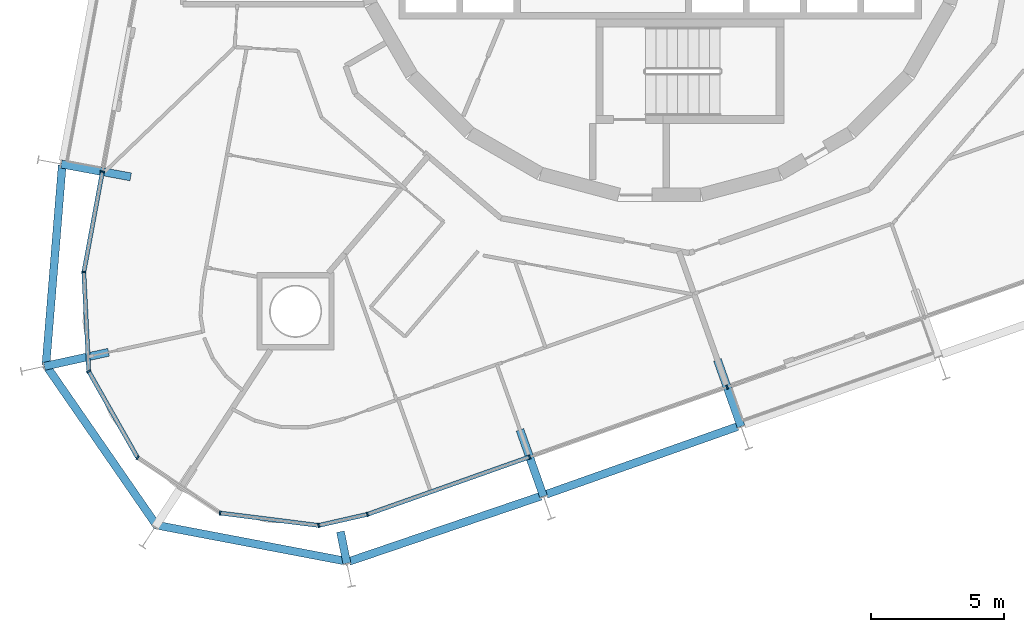
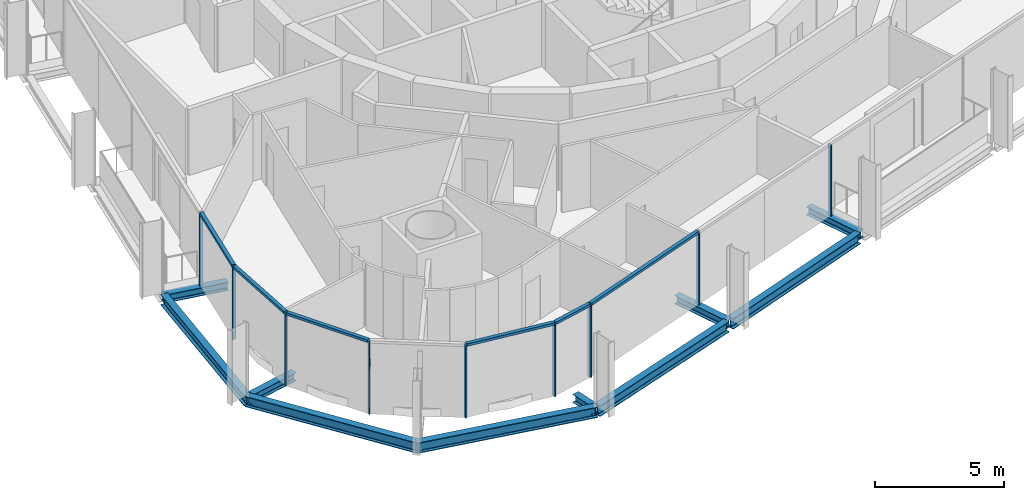
# One storey, part 2 of 17: 15 members, 10 beams, 2 elements without a shape of their own.
"""IFC4 building model written with IfcOpenShell, lengths in metres."""

from ifc_helpers import new_model, si_unit, direction, frame, origin, origin_2d, place, context, subcontext, project, spatial, rectangle, i_section, extrude, material, layer, layer_set, material_profile, profile_set, type_object, element, aggregate, save


model = new_model("IFC4")

# Units and contexts
model_context = context("Model", 3, precision=1e-05, world=origin(), true_north=direction((0.0, 1.0)))
body_context = subcontext(model_context, "Body", "Model", "MODEL_VIEW")
ifc_project = project(units=[si_unit("LENGTHUNIT", "METRE"), si_unit("AREAUNIT", "SQUARE_METRE"), si_unit("VOLUMEUNIT", "CUBIC_METRE"), si_unit("PLANEANGLEUNIT", "RADIAN"), si_unit("MASSUNIT", "GRAM", prefix="KILO")], contexts=[model_context])

# Site, building, storey
site_placement = place(None, origin())
site = spatial("IfcSite", under=ifc_project, at=site_placement, CompositionType="ELEMENT")
building_placement = place(site_placement, origin())
building = spatial("IfcBuilding", under=site, at=building_placement, Name="Spindle Arch Residences", CompositionType="ELEMENT")
storey_placement = place(building_placement, frame((0.0, 0.0, 176.199951171875)))
storey = spatial("IfcBuildingStorey", under=building, at=storey_placement, Name="L44", CompositionType="ELEMENT", Elevation=176.199951171875)

# Curtain wall, members
ifc_material_1 = material(Name="Aluminium bronze unitised frame with tinted glass", Category="aluminium")
ifc_layer_1 = layer(ifc_material_1, 0.159912109375)
ifc_layer_set_1 = layer_set([ifc_layer_1], Name="CW-D corner wall on the fillet arcs")
curtain_wall_type_1 = type_object("IfcCurtainWallType", Name="CW-D corner wall on the fillet arcs", PredefinedType="NOTDEFINED", material=ifc_layer_set_1)
curtain_wall_1_placement = place(storey_placement, origin())
curtain_wall_1 = element("IfcCurtainWall", 1, at=curtain_wall_1_placement, inside=storey, type_object=curtain_wall_type_1, Name="CW-D L44 run 5", PredefinedType="NOTDEFINED")
ifc_material_2 = material(Name="Aluminium bronze anodised mullion", Category="aluminium")
ifc_material_profile_1 = material_profile(ifc_material_2, rectangle(XDim=0.159912109375, YDim=0.06005859375, at=origin_2d()), Name="MU 60x160")
ifc_profile_set_1 = profile_set([ifc_material_profile_1], Name="Aluminium bronze anodised mullion")
member_type_1 = type_object("IfcMemberType", Name="Bronze mullion 60x160", PredefinedType="MULLION", material=ifc_profile_set_1)
member_1_placement = place(storey_placement, frame((-20.92724609375, -10.77685546875, -0.3798828125), z_axis=(0.0, 0.0, 1.0), x_axis=(0.983254907564, -0.182235525492, 0.0)))
member_1 = element("IfcMember", 2, at=member_1_placement, type_object=member_type_1, Name="CW-D mullion 00", PredefinedType="MULLION", context=body_context, shape_type="SweptSolid", body=[
    extrude(rectangle(XDim=0.159912109375, YDim=0.06005859375, at=origin_2d()), origin(), (0.0, 0.0, 1.0), 3.3798828125),
])
member_2_placement = place(storey_placement, frame((-21.6259765625, -14.546142578125, -0.3798828125), z_axis=(0.0, 0.0, 1.0), x_axis=(0.99877754864, 0.049430843939, 0.0)))
member_2 = element("IfcMember", 3, at=member_2_placement, type_object=member_type_1, Name="CW-D mullion 01", PredefinedType="MULLION", context=body_context, shape_type="SweptSolid", body=[
    extrude(rectangle(XDim=0.159912109375, YDim=0.06005859375, at=origin_2d()), origin(), (0.0, 0.0, 1.0), 3.3798828125),
])
member_3_placement = place(storey_placement, frame((-21.441650390625, -18.268310546875, -0.3798828125), z_axis=(0.0, 0.0, 1.0), x_axis=(0.870355694762, 0.492423562185, 0.0)))
member_3 = element("IfcMember", 4, at=member_3_placement, type_object=member_type_1, Name="CW-D mullion 02", PredefinedType="MULLION", context=body_context, shape_type="SweptSolid", body=[
    extrude(rectangle(XDim=0.159912109375, YDim=0.06005859375, at=origin_2d()), origin(), (0.0, 0.0, 1.0), 3.3798828125),
])
member_4_placement = place(storey_placement, frame((-19.6064453125, -21.511962890625, -0.3798828125), z_axis=(0.0, 0.0, 1.0), x_axis=(0.556778968928, 0.830660688705, 0.0)))
member_4 = element("IfcMember", 5, at=member_4_placement, type_object=member_type_1, Name="CW-D mullion 03", PredefinedType="MULLION", context=body_context, shape_type="SweptSolid", body=[
    extrude(rectangle(XDim=0.159912109375, YDim=0.06005859375, at=origin_2d()), origin(), (0.0, 0.0, 1.0), 3.3798828125),
])
member_5_placement = place(storey_placement, frame((-16.510986328125, -23.5869140625, -0.3798828125), z_axis=(0.0, 0.0, 1.0), x_axis=(0.12475602349, 0.992187449327, 0.0)))
member_5 = element("IfcMember", 6, at=member_5_placement, type_object=member_type_1, Name="CW-D mullion 04", PredefinedType="MULLION", context=body_context, shape_type="SweptSolid", body=[
    extrude(rectangle(XDim=0.159912109375, YDim=0.06005859375, at=origin_2d()), origin(), (0.0, 0.0, 1.0), 3.3798828125),
])
member_6_placement = place(storey_placement, frame((-12.813232421875, -24.0517578125, -0.3798828125), z_axis=(0.0, 0.0, 1.0), x_axis=(-0.222115779565, 0.975020297465, 0.0)))
member_6 = element("IfcMember", 7, at=member_6_placement, type_object=member_type_1, Name="CW-D mullion 05", PredefinedType="MULLION", context=body_context, shape_type="SweptSolid", body=[
    extrude(rectangle(XDim=0.159912109375, YDim=0.06005859375, at=origin_2d()), origin(), (0.0, 0.0, 1.0), 3.3798828125),
])
member_7_placement = place(storey_placement, frame((-10.984130859375, -23.63525390625, -0.3798828125), z_axis=(0.0, 0.0, 1.0), x_axis=(-0.333806859234, 0.942641491092, 0.0)))
member_7 = element("IfcMember", 8, at=member_7_placement, type_object=member_type_1, Name="CW-D mullion 06", PredefinedType="MULLION", context=body_context, shape_type="SweptSolid", body=[
    extrude(rectangle(XDim=0.159912109375, YDim=0.06005859375, at=origin_2d()), origin(), (0.0, 0.0, 1.0), 3.3798828125),
])

ifc_material_3 = material(Name="Aluminium bronze unitised frame with tinted glass", Category="aluminium")
ifc_layer_2 = layer(ifc_material_3, 0.159912109375)
ifc_layer_set_2 = layer_set([ifc_layer_2], Name="CW-C typical residential unitised wall")
curtain_wall_type_2 = type_object("IfcCurtainWallType", Name="CW-C typical residential unitised wall", PredefinedType="NOTDEFINED", material=ifc_layer_set_2)
curtain_wall_2_placement = place(storey_placement, origin())
curtain_wall_2 = element("IfcCurtainWall", 9, at=curtain_wall_2_placement, inside=storey, type_object=curtain_wall_type_2, Name="CW-C L44 run 6", PredefinedType="NOTDEFINED")
member_8_placement = place(storey_placement, frame((-4.900634765625, -21.48095703125, -0.3798828125), z_axis=(0.0, 0.0, 1.0), x_axis=(-0.333806859234, 0.942641491092, 0.0)))
member_8 = element("IfcMember", 10, at=member_8_placement, type_object=member_type_1, Name="CW-C mullion 20", PredefinedType="MULLION", context=body_context, shape_type="SweptSolid", body=[
    extrude(rectangle(XDim=0.159912109375, YDim=0.06005859375, at=origin_2d()), origin(), (0.0, 0.0, 1.0), 3.3798828125),
])
member_9_placement = place(storey_placement, frame((2.508544921875, -18.857177734375, -0.3798828125), z_axis=(0.0, 0.0, 1.0), x_axis=(-0.333806859234, 0.942641491092, 0.0)))
member_9 = element("IfcMember", 11, at=member_9_placement, type_object=member_type_1, Name="CW-C mullion 21", PredefinedType="MULLION", context=body_context, shape_type="SweptSolid", body=[
    extrude(rectangle(XDim=0.159912109375, YDim=0.06005859375, at=origin_2d()), origin(), (0.0, 0.0, 1.0), 3.3798828125),
])
aggregate(curtain_wall_2, [member_8, member_9])

# Member
ifc_material_4 = material(Name="Aluminium bronze anodised transom", Category="aluminium")
ifc_material_profile_2 = material_profile(ifc_material_4, rectangle(XDim=0.159912109375, YDim=0.1201171875, at=origin_2d()), Name="TR 120x160")
ifc_profile_set_2 = profile_set([ifc_material_profile_2], Name="Aluminium bronze anodised transom")
member_type_2 = type_object("IfcMemberType", Name="Bronze transom 120x160", PredefinedType="USERDEFINED", material=ifc_profile_set_2)
member_10_placement = place(storey_placement, frame((-20.932861328125, -10.806396484375, 3.06005859375), z_axis=(-0.182198152475, -0.983261833509, 0.0), x_axis=(0.983261833509, -0.182198152475, 0.0)))
member_10 = element("IfcMember", 12, at=member_10_placement, type_object=member_type_2, Name="CW-D transom 00", ObjectType="TRANSOM", PredefinedType="USERDEFINED", context=body_context, shape_type="SweptSolid", body=[
    extrude(rectangle(XDim=0.159912109375, YDim=0.1201171875, at=origin_2d()), origin(), (0.0, 0.0, 1.0), 3.7734375),
])

member_11_placement = place(storey_placement, frame((-21.62451171875, -14.576171875, 3.06005859375), z_axis=(0.049472678643, -0.998775477306, 0.0), x_axis=(0.998775477306, 0.049472678643, 0.0)))
member_11 = element("IfcMember", 13, at=member_11_placement, type_object=member_type_2, Name="CW-D transom 01", ObjectType="TRANSOM", PredefinedType="USERDEFINED", context=body_context, shape_type="SweptSolid", body=[
    extrude(rectangle(XDim=0.159912109375, YDim=0.1201171875, at=origin_2d()), origin(), (0.0, 0.0, 1.0), 3.66650390625),
])

member_12_placement = place(storey_placement, frame((-21.427001953125, -18.29443359375, 3.06005859375), z_axis=(0.49243456751, -0.870349468157, 0.0), x_axis=(0.870349468157, 0.49243456751, 0.0)))
member_12 = element("IfcMember", 14, at=member_12_placement, type_object=member_type_2, Name="CW-D transom 02", ObjectType="TRANSOM", PredefinedType="USERDEFINED", context=body_context, shape_type="SweptSolid", body=[
    extrude(rectangle(XDim=0.159912109375, YDim=0.1201171875, at=origin_2d()), origin(), (0.0, 0.0, 1.0), 3.666748046875),
])

member_13_placement = place(storey_placement, frame((-16.481201171875, -23.590576171875, 3.06005859375), z_axis=(0.992185413992, -0.12477220949, 0.0), x_axis=(0.12477220949, 0.992185413992, 0.0)))
member_13 = element("IfcMember", 15, at=member_13_placement, type_object=member_type_2, Name="CW-D transom 04", ObjectType="TRANSOM", PredefinedType="USERDEFINED", context=body_context, shape_type="SweptSolid", body=[
    extrude(rectangle(XDim=0.159912109375, YDim=0.1201171875, at=origin_2d()), origin(), (0.0, 0.0, 1.0), 3.666748046875),
])

member_14_placement = place(storey_placement, frame((-12.783935546875, -24.045166015625, 3.06005859375), z_axis=(0.975028425033, 0.222080099015, 0.0), x_axis=(-0.222080099015, 0.975028425033, 0.0)))
member_14 = element("IfcMember", 16, at=member_14_placement, type_object=member_type_2, Name="CW-D transom 05", ObjectType="TRANSOM", PredefinedType="USERDEFINED", context=body_context, shape_type="SweptSolid", body=[
    extrude(rectangle(XDim=0.159912109375, YDim=0.1201171875, at=origin_2d()), origin(), (0.0, 0.0, 1.0), 1.816162109375),
])

member_15_placement = place(storey_placement, frame((-10.955810546875, -23.625244140625, 3.06005859375), z_axis=(0.942638740525, 0.333814626495, 0.0), x_axis=(-0.333814626495, 0.942638740525, 0.0)))
member_15 = element("IfcMember", 17, at=member_15_placement, type_object=member_type_2, Name="CW-D transom 06", ObjectType="TRANSOM", PredefinedType="USERDEFINED", context=body_context, shape_type="SweptSolid", body=[
    extrude(rectangle(XDim=0.159912109375, YDim=0.1201171875, at=origin_2d()), origin(), (0.0, 0.0, 1.0), 6.3935546875),
])

aggregate(curtain_wall_1, [member_1, member_10, member_2, member_11, member_3, member_12, member_4, member_5, member_13, member_6, member_14, member_7, member_15])

# Beams
ifc_material_5 = material(Name="Steel S460ML, intumescent coating R 120", Category="steel")
ifc_material_profile_3 = material_profile(ifc_material_5, i_section(OverallWidth=0.300048828125, OverallDepth=0.5, WebThickness=0.014404296875, FlangeThickness=0.028076171875, FilletRadius=0.027099609375, at=origin_2d()), Name="HEB 500")
ifc_profile_set_3 = profile_set([ifc_material_profile_3], Name="Steel S460ML, intumescent coating R 120")
beam_type_1 = type_object("IfcBeamType", Name="Exoskeleton edge beam HEB 500", PredefinedType="BEAM", material=ifc_profile_set_3)
beam_1_placement = place(storey_placement, frame((-22.43408203125, -10.530517578125, -0.6298828125), z_axis=(-0.081396168561, -0.996681826735, 0.0), x_axis=(0.996681826735, -0.081396168561, 0.0)))
element("IfcBeam", 18, at=beam_1_placement, inside=storey, type_object=beam_type_1, Name="Exoskeleton edge beam 17", PredefinedType="BEAM", context=body_context, shape_type="SweptSolid", body=[
    extrude(i_section(OverallWidth=0.300048828125, OverallDepth=0.5, WebThickness=0.014404296875, FlangeThickness=0.028076171875, FilletRadius=0.027099609375, at=origin_2d()), origin(), (0.0, 0.0, 1.0), 7.534423828125),
])
for number, where, z_axis, x_axis, name in (
    (19, (-23.07080078125, -18.006103515625, -0.6298828125), (0.568398589538, -0.822753330842, 0.0), (0.822753330842, 0.568398589538, 0.0), "Exoskeleton edge beam 18"),
    (20, (-18.972900390625, -24.025390625, -0.6298828125), (0.982369437961, -0.186949959509, 0.0), (0.186949959509, 0.982369437961, 0.0), "Exoskeleton edge beam 19"),
):
    element("IfcBeam", number, at=place(storey_placement, frame(where, z_axis=z_axis, x_axis=x_axis)), inside=storey, type_object=beam_type_1, Name=name, PredefinedType="BEAM", context=body_context, shape_type="SweptSolid", body=[
        extrude(i_section(OverallWidth=0.300048828125, OverallDepth=0.5, WebThickness=0.014404296875, FlangeThickness=0.028076171875, FilletRadius=0.027099609375, at=origin_2d()), origin(), (0.0, 0.0, 1.0), 7.4033203125),
    ])
beam_2_placement = place(storey_placement, frame((-11.672119140625, -25.401123046875, -0.6298828125), z_axis=(0.94672748231, 0.322035827571, 0.0), x_axis=(-0.322035827571, 0.94672748231, 0.0)))
element("IfcBeam", 21, at=beam_2_placement, inside=storey, type_object=beam_type_1, Name="Exoskeleton edge beam 20", PredefinedType="BEAM", context=body_context, shape_type="SweptSolid", body=[
    extrude(i_section(OverallWidth=0.300048828125, OverallDepth=0.5, WebThickness=0.014404296875, FlangeThickness=0.028076171875, FilletRadius=0.027099609375, at=origin_2d()), origin(), (0.0, 0.0, 1.0), 7.596435546875),
])
beam_3_placement = place(storey_placement, frame((-4.267333984375, -22.8798828125, -0.6298828125), z_axis=(0.942633964352, 0.33382811333, 0.0), x_axis=(-0.33382811333, 0.942633964352, 0.0)))
element("IfcBeam", 22, at=beam_3_placement, inside=storey, type_object=beam_type_1, Name="Exoskeleton edge beam 21", PredefinedType="BEAM", context=body_context, shape_type="SweptSolid", body=[
    extrude(i_section(OverallWidth=0.300048828125, OverallDepth=0.5, WebThickness=0.014404296875, FlangeThickness=0.028076171875, FilletRadius=0.027099609375, at=origin_2d()), origin(), (0.0, 0.0, 1.0), 7.60009765625),
])
ifc_material_6 = material(Name="Steel S460ML, intumescent coating R 120", Category="steel")
ifc_material_profile_4 = material_profile(ifc_material_6, i_section(OverallWidth=0.300048828125, OverallDepth=0.389892578125, WebThickness=0.010986328125, FlangeThickness=0.01904296875, FilletRadius=0.027099609375, at=origin_2d()), Name="HEA 400")
ifc_profile_set_4 = profile_set([ifc_material_profile_4], Name="Steel S460ML, intumescent coating R 120")
beam_type_2 = type_object("IfcBeamType", Name="Floor outrigger HEA 400", PredefinedType="BEAM", material=ifc_profile_set_4)
beam_4_placement = place(storey_placement, frame((-22.470947265625, -10.49072265625, -0.574951171875), z_axis=(0.983253888741, -0.182241022482, 0.0), x_axis=(0.182241022482, 0.983253888741, 0.0)))
element("IfcBeam", 23, at=beam_4_placement, inside=storey, type_object=beam_type_2, Name="Floor outrigger 17", PredefinedType="BEAM", context=body_context, shape_type="SweptSolid", body=[
    extrude(i_section(OverallWidth=0.300048828125, OverallDepth=0.389892578125, WebThickness=0.010986328125, FlangeThickness=0.01904296875, FilletRadius=0.027099609375, at=origin_2d()), origin(), (0.0, 0.0, 1.0), 2.64990234375),
])
beam_5_placement = place(storey_placement, frame((-23.108154296875, -18.081298828125, -0.574951171875), z_axis=(0.976889051541, 0.21374700227, 0.0), x_axis=(-0.21374700227, 0.976889051541, 0.0)))
element("IfcBeam", 24, at=beam_5_placement, inside=storey, type_object=beam_type_2, Name="Floor outrigger 18", PredefinedType="BEAM", context=body_context, shape_type="SweptSolid", body=[
    extrude(i_section(OverallWidth=0.300048828125, OverallDepth=0.389892578125, WebThickness=0.010986328125, FlangeThickness=0.01904296875, FilletRadius=0.027099609375, at=origin_2d()), origin(), (0.0, 0.0, 1.0), 2.469482421875),
])
beam_6_placement = place(storey_placement, frame((-11.75390625, -25.47412109375, -0.574951171875), z_axis=(-0.199668771983, 0.979863450433, 0.0), x_axis=(-0.979863450433, -0.199668771983, 0.0)))
element("IfcBeam", 25, at=beam_6_placement, inside=storey, type_object=beam_type_2, Name="Floor outrigger 20", PredefinedType="BEAM", context=body_context, shape_type="SweptSolid", body=[
    extrude(i_section(OverallWidth=0.300048828125, OverallDepth=0.389892578125, WebThickness=0.010986328125, FlangeThickness=0.01904296875, FilletRadius=0.027099609375, at=origin_2d()), origin(), (0.0, 0.0, 1.0), 1.21533203125),
])
beam_7_placement = place(storey_placement, frame((-4.376708984375, -22.9609375, -0.574951171875), z_axis=(-0.333778924893, 0.942651382695, 0.0), x_axis=(-0.942651382695, -0.333778924893, 0.0)))
element("IfcBeam", 26, at=beam_7_placement, inside=storey, type_object=beam_type_2, Name="Floor outrigger 21", PredefinedType="BEAM", context=body_context, shape_type="SweptSolid", body=[
    extrude(i_section(OverallWidth=0.300048828125, OverallDepth=0.389892578125, WebThickness=0.010986328125, FlangeThickness=0.01904296875, FilletRadius=0.027099609375, at=origin_2d()), origin(), (0.0, 0.0, 1.0), 2.64990234375),
])
beam_8_placement = place(storey_placement, frame((3.03271484375, -20.337158203125, -0.574951171875), z_axis=(-0.333860785086, 0.942622393211, 0.0), x_axis=(-0.942622393211, -0.333860785086, 0.0)))
element("IfcBeam", 27, at=beam_8_placement, inside=storey, type_object=beam_type_2, Name="Floor outrigger 22", PredefinedType="BEAM", context=body_context, shape_type="SweptSolid", body=[
    extrude(i_section(OverallWidth=0.300048828125, OverallDepth=0.389892578125, WebThickness=0.010986328125, FlangeThickness=0.01904296875, FilletRadius=0.027099609375, at=origin_2d()), origin(), (0.0, 0.0, 1.0), 2.650146484375),
])

save(model, "model.ifc")
